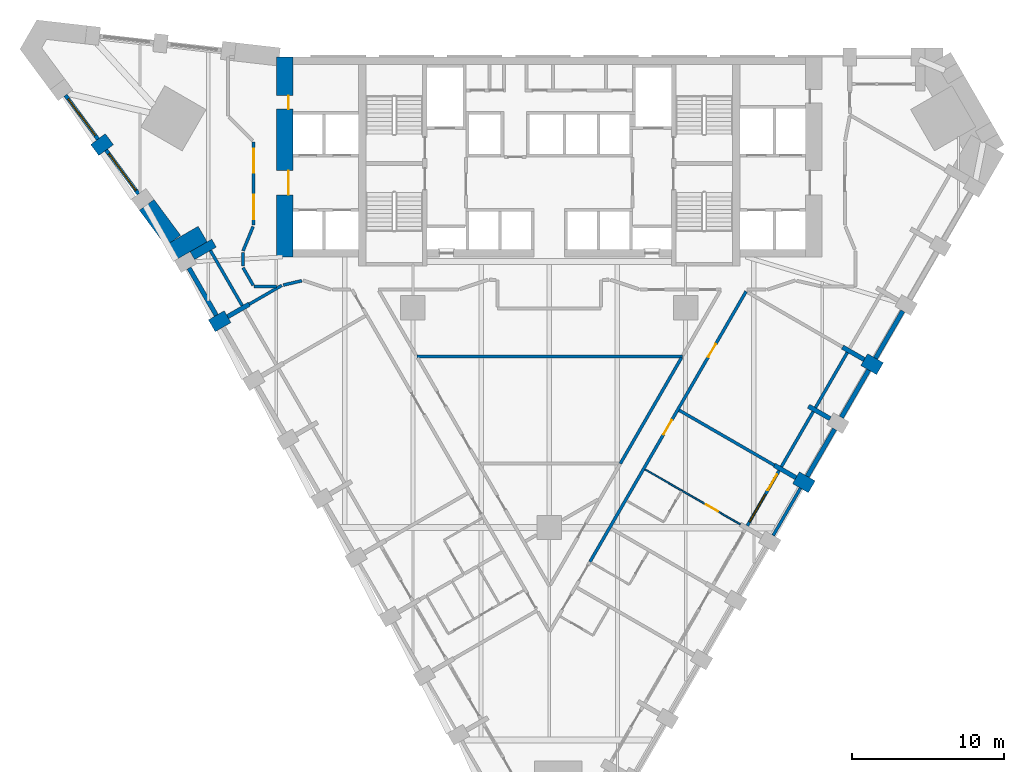
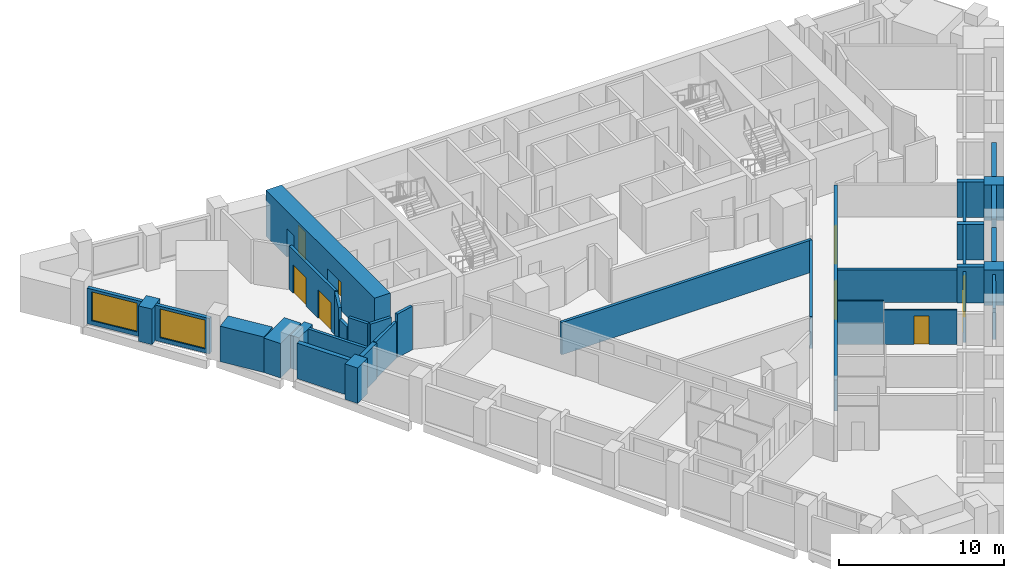
# One storey, part 5 of 10: 36 walls, 8 doors, 3 windows, 11 openings.
"""IFC4 building model written with IfcOpenShell, lengths in metres."""

from ifc_helpers import new_model, si_unit, direction, frame, frame_2d, origin, place, context, subcontext, project, spatial, polyline, rectangle, outline, extrude, material, layer, layer_set, type_object, element, fill, save


model = new_model("IFC4")

# Units and contexts
model_context = context("Model", 3, precision=1e-05, world=origin(), true_north=direction((0.0, 1.0)))
body_context = subcontext(model_context, "Body", "Model", "MODEL_VIEW")
ifc_project = project(units=[si_unit("LENGTHUNIT", "METRE"), si_unit("AREAUNIT", "SQUARE_METRE"), si_unit("VOLUMEUNIT", "CUBIC_METRE"), si_unit("PLANEANGLEUNIT", "RADIAN"), si_unit("MASSUNIT", "GRAM", prefix="KILO")], contexts=[model_context])

# Site, building, storey
site_placement = place(None, origin())
site = spatial("IfcSite", under=ifc_project, at=site_placement, CompositionType="ELEMENT")
building_placement = place(site_placement, origin())
building = spatial("IfcBuilding", under=site, at=building_placement, Name="Calabash Gate Tower", CompositionType="ELEMENT")
storey_placement = place(building_placement, frame((0.0, 0.0, 69.800048828125)))
storey = spatial("IfcBuildingStorey", under=building, at=storey_placement, Name="L13", CompositionType="ELEMENT", Elevation=69.800048828125)

# Walls
ifc_material_1 = material(Name="Terracotta brick masonry, exposed face", Category="masonry")
ifc_layer_1 = layer(ifc_material_1, 2.5)
ifc_layer_set_1 = layer_set([ifc_layer_1], Name="Brick corner mass wall 2500")
wall_type_1 = type_object("IfcWallType", Name="Brick corner mass wall 2500", PredefinedType="SOLIDWALL", material=ifc_layer_set_1)
wall_1_placement = place(storey_placement, frame((-22.865234375, 7.365234375, 0.0), z_axis=(0.0, 0.0, 1.0), x_axis=(-0.866022959057, -0.500004234368, 0.0)))
element("IfcWall", 1, at=wall_1_placement, inside=storey, type_object=wall_type_1, Name="Brick corner pier S03 1", PredefinedType="SOLIDWALL", context=body_context, shape_type="SweptSolid", body=[
    extrude(rectangle(XDim=2.5, YDim=1.1845703125, at=frame_2d((1.25, 0.0))), origin(), (0.0, 0.0, 1.0), 2.5517578125),
])
ifc_material_2 = material(Name="Terracotta brick masonry, exposed face", Category="masonry")
ifc_layer_2 = layer(ifc_material_2, 1.199951171875)
ifc_layer_set_2 = layer_set([ifc_layer_2], Name="Brick end wall 1200")
wall_type_2 = type_object("IfcWallType", Name="Brick end wall 1200", PredefinedType="SOLIDWALL", material=ifc_layer_set_2)
wall_2_placement = place(storey_placement, frame((-21.2197265625, 1.91552734375, 0.0), z_axis=(0.0, 0.0, 1.0), x_axis=(-0.866006032174, -0.500033551112, 0.0)))
element("IfcWall", 2, at=wall_2_placement, inside=storey, type_object=wall_type_2, Name="Brick pier S03 SW0.1", PredefinedType="SOLIDWALL", context=body_context, shape_type="SweptSolid", body=[
    extrude(rectangle(XDim=1.2001953125, YDim=0.89990234375, at=frame_2d((0.60009765625, 0.0))), origin(), (0.0, 0.0, 1.0), 2.6298828125),
])
for number, where, z_axis, x_axis, name in (
    (3, (16.27880859375, -8.70947265625, 0.0), (0.0, 0.0, 1.0), (0.865955154139, -0.50012165622, 0.0), "Brick pier S03 SE2.5"),
    (4, (21.81787109375, -1.515380859375, 0.0), (0.0, 0.0, 1.0), (-0.865955154139, 0.50012165622, 0.0), "Brick pier S03 SE2.7"),
    (5, (-29.985107421875, 12.91015625, 0.0), (0.0, 0.0, 1.0), (0.803477891264, 0.595334593527, 0.0), "Brick pier S03 wedge7.1"),
):
    element("IfcWall", number, at=place(storey_placement, frame(where, z_axis=z_axis, x_axis=x_axis)), inside=storey, type_object=wall_type_2, Name=name, PredefinedType="SOLIDWALL", context=body_context, shape_type="SweptSolid", body=[
        extrude(rectangle(XDim=1.199951171875, YDim=0.89990234375, at=frame_2d((0.60009765625, 0.0))), origin(), (0.0, 0.0, 1.0), 2.6298828125),
    ])
wall_3_placement = place(storey_placement, origin())
element("IfcWall", 6, at=wall_3_placement, inside=storey, type_object=wall_type_2, Name="Brick end wall S03 3", PredefinedType="SOLIDWALL", context=body_context, shape_type="SweptSolid", body=[
    extrude(outline(polyline([(-24.32470703125, 7.285400390625), (-26.07421875, 9.64697265625), (-26.07421875, 9.64697265625), (-26.073974609375, 9.646484375), (-27.0380859375, 8.932373046875), (-25.30908203125, 6.5986328125), (-25.326416015625, 6.628173828125), (-24.806640625, 6.92822265625), (-24.32470703125, 7.285400390625)])), origin(), (0.0, 0.0, 1.0), 2.6298828125),
])
ifc_material_3 = material(Name="Terracotta brick masonry, exposed face", Category="masonry")
ifc_layer_3 = layer(ifc_material_3, 0.300048828125)
ifc_layer_set_3 = layer_set([ifc_layer_3], Name="Brick infill panel wall 300")
wall_type_3 = type_object("IfcWallType", Name="Brick infill panel wall 300", PredefinedType="SOLIDWALL", material=ifc_layer_set_3)
wall_4_placement = place(storey_placement, frame((-23.764404296875, 5.122802734375, 0.0), z_axis=(0.0, 0.0, 1.0), x_axis=(0.500012057535, -0.866018442252, 0.0)))
element("IfcWall", 7, at=wall_4_placement, inside=storey, type_object=wall_type_3, Name="Brick panel S03 SW0.1", PredefinedType="SOLIDWALL", context=body_context, shape_type="SweptSolid", body=[
    extrude(rectangle(XDim=3.60009765625, YDim=0.300048828125, at=frame_2d((1.800048828125, 0.0))), origin(), (0.0, 0.0, 1.0), 2.6298828125),
])
for number, where, z_axis, x_axis, name in (
    (8, (17.0234375, -8.619873046875, 0.0), (0.0, 0.0, 1.0), (0.499961193289, 0.866047807691, 0.0), "Brick panel S03 SE2.6"),
    (9, (19.2734375, -4.72265625, 0.0), (0.0, 0.0, 1.0), (0.499961193289, 0.866047807691, 0.0), "Brick panel S03 SE2.7"),
    (10, (21.5234375, -0.82568359375, 0.0), (0.0, 0.0, 1.0), (0.499961193289, 0.866047807691, 0.0), "Brick panel S03 SE2.8"),
):
    element("IfcWall", number, at=place(storey_placement, frame(where, z_axis=z_axis, x_axis=x_axis)), inside=storey, type_object=wall_type_3, Name=name, PredefinedType="SOLIDWALL", context=body_context, shape_type="SweptSolid", body=[
        extrude(rectangle(XDim=3.599853515625, YDim=0.300048828125, at=frame_2d((1.7998046875, 0.0))), origin(), (0.0, 0.0, 1.0), 2.6298828125),
    ])
ifc_material_4 = material(Name="Terracotta brick masonry, exposed face", Category="masonry")
ifc_layer_4 = layer(ifc_material_4, 0.300048828125)
ifc_layer_set_4 = layer_set([ifc_layer_4], Name="Brick loggia cheek wall 300")
wall_type_4 = type_object("IfcWallType", Name="Brick loggia cheek wall 300", PredefinedType="SOLIDWALL", material=ifc_layer_set_4)
wall_5_placement = place(storey_placement, frame((-23.54443359375, 5.94287109375, 0.0), z_axis=(0.0, 0.0, 1.0), x_axis=(0.866030301974, 0.499991515992, 0.0)))
element("IfcWall", 11, at=wall_5_placement, inside=storey, type_object=wall_type_4, Name="Loggia cheek S03 SW0.0", PredefinedType="SOLIDWALL", context=body_context, shape_type="SweptSolid", body=[
    extrude(rectangle(XDim=1.6494140625, YDim=0.60009765625, at=frame_2d((0.82470703125, 0.0))), origin(), (0.0, 0.0, 1.0), 2.449951171875),
])
for number, where, z_axis, x_axis, name in (
    (12, (-19.790771484375, 2.740478515625, 0.0), (0.0, 0.0, 1.0), (-0.866040211805, -0.499974350878, 0.0), "Loggia cheek S03 SW0.1"),
    (13, (16.27880859375, -8.70947265625, 0.0), (0.0, 0.0, 1.0), (-0.866040211805, 0.499974350878, 0.0), "Loggia cheek S03 SE2.5"),
):
    element("IfcWall", number, at=place(storey_placement, frame(where, z_axis=z_axis, x_axis=x_axis)), inside=storey, type_object=wall_type_4, Name=name, PredefinedType="SOLIDWALL", context=body_context, shape_type="SweptSolid", body=[
        extrude(rectangle(XDim=1.64990234375, YDim=0.300048828125, at=frame_2d((0.824951171875, 0.0))), origin(), (0.0, 0.0, 1.0), 2.64990234375),
    ])
wall_6_placement = place(storey_placement, frame((17.099853515625, -3.987548828125, 0.0), z_axis=(0.0, 0.0, 1.0), x_axis=(0.866030301974, -0.499991515992, 0.0)))
element("IfcWall", 14, at=wall_6_placement, inside=storey, type_object=wall_type_4, Name="Loggia cheek S03 SE2.6", PredefinedType="SOLIDWALL", context=body_context, shape_type="SweptSolid", body=[
    extrude(rectangle(XDim=1.6494140625, YDim=0.300048828125, at=frame_2d((0.82470703125, 0.0))), origin(), (0.0, 0.0, 1.0), 2.64990234375),
])
wall_7_placement = place(storey_placement, frame((19.349853515625, -0.09033203125, 0.0), z_axis=(0.0, 0.0, 1.0), x_axis=(0.866040211805, -0.499974350878, 0.0)))
element("IfcWall", 15, at=wall_7_placement, inside=storey, type_object=wall_type_4, Name="Loggia cheek S03 SE2.7", PredefinedType="SOLIDWALL", context=body_context, shape_type="SweptSolid", body=[
    extrude(rectangle(XDim=1.64990234375, YDim=0.300048828125, at=frame_2d((0.824951171875, 0.0))), origin(), (0.0, 0.0, 1.0), 2.64990234375),
])

# Wall, openings, doors
ifc_material_5 = material(Name="Concrete C80/95", Category="concrete")
ifc_layer_5 = layer(ifc_material_5, 1.10009765625)
ifc_layer_set_5 = layer_set([ifc_layer_5], Name="Core wall 1100 Concrete C80/95")
wall_type_5 = type_object("IfcWallType", Name="Core wall 1100 Concrete C80/95", PredefinedType="SHEAR", material=ifc_layer_set_5)
wall_8_placement = place(storey_placement, frame((-17.449951171875, 5.8525390625, 0.0), z_axis=(0.0, 0.0, 1.0), x_axis=(0.0, 1.0, 0.0)))
wall_8 = element("IfcWall", 16, at=wall_8_placement, inside=storey, type_object=wall_type_5, Name="Core wall Z1-ENDW L13", PredefinedType="SHEAR", context=body_context, shape_type="SweptSolid", body=[
    extrude(rectangle(XDim=13.199951171875, YDim=1.10009765625, at=frame_2d((6.60009765625, 0.0))), origin(), (0.0, 0.0, 1.0), 3.39990234375),
])
opening_1_placement = place(wall_8_placement, frame((4.10009765625, 0.0, 0.0)))
opening_1 = element("IfcOpeningElement", 17, at=opening_1_placement, cuts=wall_8, Name="Opening H3-003", PredefinedType="OPENING", context=body_context, shape_type="SweptSolid", body=[
    extrude(rectangle(XDim=1.60009765625, YDim=2.10009765625, at=frame_2d((0.800048828125, 1.050048828125))), frame((0.0, 0.56005859375, 0.0), z_axis=(0.0, -1.0, 0.0), x_axis=(1.0, 0.0, 0.0)), (0.0, 0.0, 1.0), 1.1201171875),
])
opening_2_placement = place(wall_8_placement, frame((9.75, 0.0, 0.0)))
opening_2 = element("IfcOpeningElement", 18, at=opening_2_placement, cuts=wall_8, Name="Opening H3-004", PredefinedType="OPENING", context=body_context, shape_type="SweptSolid", body=[
    extrude(rectangle(XDim=0.89990234375, YDim=2.10009765625, at=frame_2d((0.449951171875, 1.050048828125))), frame((0.0, 0.56005859375, 0.0), z_axis=(0.0, -1.0, 0.0), x_axis=(1.0, 0.0, 0.0)), (0.0, 0.0, 1.0), 1.1201171875),
])
ifc_material_6 = material(Name="Steel fire door set with fire-resisting glazing", Category="steel")
door_type_1 = type_object("IfcDoorType", Name="Double fire door D08 1600x2100 FD60", OperationType="DOUBLE_DOOR_SINGLE_SWING", PredefinedType="DOOR", material=ifc_material_6)
door_1_placement = place(opening_1_placement, origin())
door_1 = element("IfcDoor", 19, at=door_1_placement, inside=storey, type_object=door_type_1, Name="Low-rise Lift Lobby W door", OperationType="DOUBLE_DOOR_SINGLE_SWING", OverallHeight=2.10009765625, OverallWidth=1.60009765625, PredefinedType="DOOR", context=body_context, shape_type="SweptSolid", body=[
    extrude(rectangle(XDim=1.60009765625, YDim=2.10009765625, at=frame_2d((0.800048828125, 1.050048828125))), frame((0.0, -0.22509765625, 0.0), z_axis=(0.0, -1.0, 0.0), x_axis=(1.0, 0.0, 0.0)), (0.0, 0.0, 1.0), 0.050048828125),
])
fill(opening_1, door_1)
ifc_material_7 = material(Name="Steel fire door set with fire-resisting glazing", Category="steel")
door_type_2 = type_object("IfcDoorType", Name="Fire door D06 900x2100 FD60", OperationType="NOTDEFINED", PredefinedType="DOOR", material=ifc_material_7)
door_2_placement = place(opening_2_placement, origin())
door_2 = element("IfcDoor", 20, at=door_2_placement, inside=storey, type_object=door_type_2, Name="Hotel Pantry door", OperationType="SINGLE_SWING_RIGHT", OverallHeight=2.10009765625, OverallWidth=0.89990234375, PredefinedType="DOOR", context=body_context, shape_type="SweptSolid", body=[
    extrude(rectangle(XDim=0.89990234375, YDim=2.10009765625, at=frame_2d((0.449951171875, 1.050048828125))), frame((0.0, -0.22509765625, 0.0), z_axis=(0.0, -1.0, 0.0), x_axis=(1.0, 0.0, 0.0)), (0.0, 0.0, 1.0), 0.050048828125),
])
fill(opening_2, door_2)

# Wall, opening, door
ifc_material_8 = material(Name="Gypsum board on steel studs, mineral wool", Category="steel")
ifc_layer_6 = layer(ifc_material_8, 0.10009765625)
ifc_layer_set_6 = layer_set([ifc_layer_6], Name="Partition 100 gypsum board")
wall_type_6 = type_object("IfcWallType", Name="Partition 100 gypsum board", PredefinedType="PARTITIONING", material=ifc_layer_set_6)
wall_9_placement = place(storey_placement, frame((8.7451171875, -9.55859375, 0.0), z_axis=(0.0, 0.0, 1.0), x_axis=(0.866220293694, -0.499662288743, 0.0)))
wall_9 = element("IfcWall", 21, at=wall_9_placement, inside=storey, type_object=wall_type_6, Name="Partition", PredefinedType="PARTITIONING", context=body_context, shape_type="SweptSolid", body=[
    extrude(rectangle(XDim=4.44970703125, YDim=0.10009765625, at=frame_2d((2.224853515625, 0.0))), origin(), (0.0, 0.0, 1.0), 2.5517578125),
])
opening_3_placement = place(wall_9_placement, frame((1.849609375, 0.0, 0.0)))
opening_3 = element("IfcOpeningElement", 22, at=opening_3_placement, cuts=wall_9, Name="Opening 12-14-007", PredefinedType="OPENING", context=body_context, shape_type="SweptSolid", body=[
    extrude(rectangle(XDim=0.89990234375, YDim=2.10009765625, at=frame_2d((0.449951171875, 1.050048828125))), frame((0.0, 0.06005859375, 0.0), z_axis=(0.0, -1.0, 0.0), x_axis=(1.0, 0.0, 0.0)), (0.0, 0.0, 1.0), 0.1201171875),
])
ifc_material_9 = material(Name="Painted timber door", Category="wood")
door_type_3 = type_object("IfcDoorType", Name="GD7 Suite room door 900x2100", OperationType="NOTDEFINED", PredefinedType="DOOR", material=ifc_material_9)
door_3_placement = place(opening_3_placement, origin())
door_3 = element("IfcDoor", 23, at=door_3_placement, inside=storey, type_object=door_type_3, Name="Suite room door", OperationType="SINGLE_SWING_LEFT", OverallHeight=2.10009765625, OverallWidth=0.89990234375, PredefinedType="DOOR", context=body_context, shape_type="SweptSolid", body=[
    extrude(rectangle(XDim=0.89990234375, YDim=2.10009765625, at=frame_2d((0.449951171875, 1.050048828125))), frame((0.0, 0.02490234375, 0.0), z_axis=(0.0, -1.0, 0.0), x_axis=(1.0, 0.0, 0.0)), (0.0, 0.0, 1.0), 0.050048828125),
])
fill(opening_3, door_3)

# Walls
wall_10_placement = place(storey_placement, frame((6.3203125, -8.158447265625, 0.0), z_axis=(0.0, 0.0, 1.0), x_axis=(0.865995230276, -0.500052258409, 0.0)))
element("IfcWall", 24, at=wall_10_placement, inside=storey, type_object=wall_type_6, Name="Partition", PredefinedType="PARTITIONING", context=body_context, shape_type="SweptSolid", body=[
    extrude(rectangle(XDim=2.798095703125, YDim=0.10009765625, at=frame_2d((1.39892578125, 0.0))), origin(), (0.0, 0.0, 1.0), 3.22998046875),
])
ifc_material_10 = material(Name="Gypsum board on steel studs, mineral wool", Category="steel")
ifc_layer_7 = layer(ifc_material_10, 0.199951171875)
ifc_layer_set_7 = layer_set([ifc_layer_7], Name="Partition 200 gypsum board EI 60")
wall_type_7 = type_object("IfcWallType", Name="Partition 200 gypsum board EI 60", PredefinedType="PARTITIONING", material=ifc_layer_set_7)
wall_11_placement = place(storey_placement, frame((4.6875, -7.781982421875, 0.0), z_axis=(0.0, 0.0, 1.0), x_axis=(0.499996438971, 0.866027459735, 0.0)))
element("IfcWall", 25, at=wall_11_placement, inside=storey, type_object=wall_type_7, Name="Partition", PredefinedType="PARTITIONING", context=body_context, shape_type="SweptSolid", body=[
    extrude(rectangle(XDim=8.0732421875, YDim=0.199951171875, at=frame_2d((4.03662109375, 0.0))), origin(), (0.0, 0.0, 1.0), 2.384033203125),
])
wall_12_placement = place(storey_placement, frame((8.572265625, -4.258056640625, 0.0), z_axis=(0.0, 0.0, 1.0), x_axis=(0.865900080757, -0.500217003055, 0.0)))
element("IfcWall", 26, at=wall_12_placement, inside=storey, type_object=wall_type_7, Name="Partition", PredefinedType="PARTITIONING", context=body_context, shape_type="SweptSolid", body=[
    extrude(rectangle(XDim=7.249755859375, YDim=0.199951171875, at=frame_2d((3.625, 0.0))), origin(), (0.0, 0.0, 1.0), 2.384033203125),
])
wall_13_placement = place(storey_placement, frame((-8.73681640625, -0.70556640625, 0.0), z_axis=(0.0, 0.0, 1.0), x_axis=(1.0, 0.0, 0.0)))
element("IfcWall", 27, at=wall_13_placement, inside=storey, type_object=wall_type_7, Name="Partition", PredefinedType="PARTITIONING", context=body_context, shape_type="SweptSolid", body=[
    extrude(rectangle(XDim=17.51220703125, YDim=0.199951171875, at=frame_2d((8.756103515625, 0.0))), origin(), (0.0, 0.0, 1.0), 2.384033203125),
])

# Wall, openings, doors
wall_14_placement = place(storey_placement, frame((2.686279296875, -14.256591796875, 0.0), z_axis=(0.0, 0.0, 1.0), x_axis=(0.49998850195, 0.866032042085, 0.0)))
wall_14 = element("IfcWall", 28, at=wall_14_placement, inside=storey, type_object=wall_type_7, Name="Partition", PredefinedType="PARTITIONING", context=body_context, shape_type="SweptSolid", body=[
    extrude(rectangle(XDim=20.60009765625, YDim=0.199951171875, at=frame_2d((10.300048828125, 0.0))), origin(), (0.0, 0.0, 1.0), 2.302490234375),
])
opening_4_placement = place(wall_14_placement, frame((9.7001953125, 0.0, 0.0)))
opening_4 = element("IfcOpeningElement", 29, at=opening_4_placement, cuts=wall_14, Name="Opening 12-14-006", PredefinedType="OPENING", context=body_context, shape_type="SweptSolid", body=[
    extrude(rectangle(XDim=1.10009765625, YDim=2.10009765625, at=frame_2d((0.550048828125, 1.050048828125))), frame((0.0, 0.10986328125, 0.0), z_axis=(0.0, -1.0, 0.0), x_axis=(1.0, 0.0, 0.0)), (0.0, 0.0, 1.0), 0.219970703125),
])
opening_5_placement = place(wall_14_placement, frame((15.60009765625, 0.0, 0.0)))
opening_5 = element("IfcOpeningElement", 30, at=opening_5_placement, cuts=wall_14, Name="Opening 12-14-009", PredefinedType="OPENING", context=body_context, shape_type="SweptSolid", body=[
    extrude(rectangle(XDim=1.0, YDim=2.10009765625, at=frame_2d((0.5, 1.050048828125))), frame((0.0, 0.10986328125, 0.0), z_axis=(0.0, -1.0, 0.0), x_axis=(1.0, 0.0, 0.0)), (0.0, 0.0, 1.0), 0.219970703125),
])
ifc_material_11 = material(Name="Steel fire door set with fire-resisting glazing", Category="steel")
door_type_4 = type_object("IfcDoorType", Name="GD3 Suite entrance door 1100x2100", OperationType="NOTDEFINED", PredefinedType="DOOR", material=ifc_material_11)
door_4_placement = place(opening_4_placement, origin())
door_4 = element("IfcDoor", 31, at=door_4_placement, inside=storey, type_object=door_type_4, Name="Suite entrance door", OperationType="SINGLE_SWING_LEFT", OverallHeight=2.10009765625, OverallWidth=1.10009765625, PredefinedType="DOOR", context=body_context, shape_type="SweptSolid", body=[
    extrude(rectangle(XDim=1.10009765625, YDim=2.10009765625, at=frame_2d((0.550048828125, 1.050048828125))), frame((0.0, 0.02490234375, 0.0), z_axis=(0.0, -1.0, 0.0), x_axis=(1.0, 0.0, 0.0)), (0.0, 0.0, 1.0), 0.050048828125),
])
fill(opening_4, door_4)
ifc_material_12 = material(Name="Steel fire door set with fire-resisting glazing", Category="steel")
door_type_5 = type_object("IfcDoorType", Name="LD2 Meeting room door 1000x2100", OperationType="NOTDEFINED", PredefinedType="DOOR", material=ifc_material_12)
door_5_placement = place(opening_5_placement, origin())
door_5 = element("IfcDoor", 32, at=door_5_placement, inside=storey, type_object=door_type_5, Name="Meeting room door", OperationType="SINGLE_SWING_LEFT", OverallHeight=2.10009765625, OverallWidth=1.0, PredefinedType="DOOR", context=body_context, shape_type="SweptSolid", body=[
    extrude(rectangle(XDim=1.0, YDim=2.10009765625, at=frame_2d((0.5, 1.050048828125))), frame((0.0, 0.02490234375, 0.0), z_axis=(0.0, -1.0, 0.0), x_axis=(1.0, 0.0, 0.0)), (0.0, 0.0, 1.0), 0.050048828125),
])
fill(opening_5, door_5)

# Walls
wall_15_placement = place(storey_placement, frame((-19.47900390625, 3.899658203125, 0.0), z_axis=(0.0, 0.0, 1.0), x_axis=(0.999999986376, -0.000165070978, 0.0)))
element("IfcWall", 33, at=wall_15_placement, inside=storey, type_object=wall_type_7, Name="Partition", PredefinedType="PARTITIONING", context=body_context, shape_type="SweptSolid", body=[
    extrude(rectangle(XDim=1.47900390625, YDim=0.199951171875, at=frame_2d((0.739501953125, 0.0))), origin(), (0.0, 0.0, 1.0), 3.22998046875),
])
wall_16_placement = place(storey_placement, frame((-19.791015625, 2.740478515625, 0.0), z_axis=(0.0, 0.0, 1.0), x_axis=(0.86605932655, 0.499941239442, 0.0)))
element("IfcWall", 34, at=wall_16_placement, inside=storey, type_object=wall_type_7, Name="Partition", PredefinedType="PARTITIONING", context=body_context, shape_type="SweptSolid", body=[
    extrude(rectangle(XDim=2.479248046875, YDim=0.199951171875, at=frame_2d((1.23974609375, 0.0))), origin(), (0.0, 0.0, 1.0), 2.701904296875),
])
wall_17_placement = place(storey_placement, frame((-17.5458984375, 4.0029296875, 0.0), z_axis=(0.0, 0.0, 1.0), x_axis=(0.974055012808, 0.226311360791, 0.0)))
element("IfcWall", 35, at=wall_17_placement, inside=storey, type_object=wall_type_7, Name="Partition", PredefinedType="PARTITIONING", context=body_context, shape_type="SweptSolid", body=[
    extrude(rectangle(XDim=1.25244140625, YDim=0.199951171875, at=frame_2d((0.626220703125, 0.0))), origin(), (0.0, 0.0, 1.0), 3.22998046875),
])
wall_18_placement = place(storey_placement, frame((-20.200439453125, 5.14892578125, 0.0), z_axis=(0.0, 0.0, 1.0), x_axis=(0.500011000363, -0.866019052629, 0.0)))
element("IfcWall", 36, at=wall_18_placement, inside=storey, type_object=wall_type_7, Name="Partition", PredefinedType="PARTITIONING", context=body_context, shape_type="SweptSolid", body=[
    extrude(rectangle(XDim=1.3427734375, YDim=0.199951171875, at=frame_2d((0.67138671875, 0.0))), origin(), (0.0, 0.0, 1.0), 3.22998046875),
])
wall_19_placement = place(storey_placement, frame((-20.200439453125, 6.152587890625, 0.0), z_axis=(0.0, 0.0, 1.0), x_axis=(0.0, -1.0, 0.0)))
element("IfcWall", 37, at=wall_19_placement, inside=storey, type_object=wall_type_7, Name="Partition", PredefinedType="PARTITIONING", context=body_context, shape_type="SweptSolid", body=[
    extrude(rectangle(XDim=0.903564453125, YDim=0.199951171875, at=frame_2d((0.45166015625, 0.0))), origin(), (0.0, 0.0, 1.0), 2.449951171875),
])
wall_20_placement = place(storey_placement, frame((-20.200439453125, 6.252685546875, 0.0), z_axis=(0.0, 0.0, 1.0), x_axis=(0.380742741509, 0.924681007044, 0.0)))
element("IfcWall", 38, at=wall_20_placement, inside=storey, type_object=wall_type_7, Name="Partition", PredefinedType="PARTITIONING", context=body_context, shape_type="SweptSolid", body=[
    extrude(rectangle(XDim=1.73828125, YDim=0.199951171875, at=frame_2d((0.869140625, 0.0))), origin(), (0.0, 0.0, 1.0), 3.22998046875),
])

# Wall, openings, doors
wall_21_placement = place(storey_placement, frame((-19.50048828125, 7.95263671875, 0.0), z_axis=(0.0, 0.0, 1.0), x_axis=(0.0, 1.0, 0.0)))
wall_21 = element("IfcWall", 39, at=wall_21_placement, inside=storey, type_object=wall_type_7, Name="Partition", PredefinedType="PARTITIONING", context=body_context, shape_type="SweptSolid", body=[
    extrude(rectangle(XDim=5.499755859375, YDim=0.199951171875, at=frame_2d((2.75, 0.0))), origin(), (0.0, 0.0, 1.0), 3.22998046875),
])
opening_6_placement = place(wall_21_placement, frame((0.39990234375, 0.0, 0.0)))
opening_6 = element("IfcOpeningElement", 40, at=opening_6_placement, cuts=wall_21, Name="Opening 12-14-019", PredefinedType="OPENING", context=body_context, shape_type="SweptSolid", body=[
    extrude(rectangle(XDim=1.60009765625, YDim=2.10009765625, at=frame_2d((0.800048828125, 1.050048828125))), frame((0.0, 0.10986328125, 0.0), z_axis=(0.0, -1.0, 0.0), x_axis=(1.0, 0.0, 0.0)), (0.0, 0.0, 1.0), 0.219970703125),
])
opening_7_placement = place(wall_21_placement, frame((3.449462890625, 0.0, 0.0)))
opening_7 = element("IfcOpeningElement", 41, at=opening_7_placement, cuts=wall_21, Name="Opening 12-14-020", PredefinedType="OPENING", context=body_context, shape_type="SweptSolid", body=[
    extrude(rectangle(XDim=1.60009765625, YDim=2.10009765625, at=frame_2d((0.800048828125, 1.050048828125))), frame((0.0, 0.10986328125, 0.0), z_axis=(0.0, -1.0, 0.0), x_axis=(1.0, 0.0, 0.0)), (0.0, 0.0, 1.0), 0.219970703125),
])
ifc_material_13 = material(Name="Steel fire door set with fire-resisting glazing", Category="steel")
door_type_6 = type_object("IfcDoorType", Name="LD1 Lounge double door 1600x2100", OperationType="NOTDEFINED", PredefinedType="DOOR", material=ifc_material_13)
door_6_placement = place(opening_6_placement, origin())
door_6 = element("IfcDoor", 42, at=door_6_placement, inside=storey, type_object=door_type_6, Name="Lounge double door", OperationType="DOUBLE_DOOR_SINGLE_SWING", OverallHeight=2.10009765625, OverallWidth=1.60009765625, PredefinedType="DOOR", context=body_context, shape_type="SweptSolid", body=[
    extrude(rectangle(XDim=1.60009765625, YDim=2.10009765625, at=frame_2d((0.800048828125, 1.050048828125))), frame((0.0, 0.02490234375, 0.0), z_axis=(0.0, -1.0, 0.0), x_axis=(1.0, 0.0, 0.0)), (0.0, 0.0, 1.0), 0.050048828125),
])
fill(opening_6, door_6)
door_7_placement = place(opening_7_placement, origin())
door_7 = element("IfcDoor", 43, at=door_7_placement, inside=storey, type_object=door_type_6, Name="Lounge double door", OperationType="DOUBLE_DOOR_SINGLE_SWING", OverallHeight=2.10009765625, OverallWidth=1.60009765625, PredefinedType="DOOR", context=body_context, shape_type="SweptSolid", body=[
    extrude(rectangle(XDim=1.60009765625, YDim=2.10009765625, at=frame_2d((0.800048828125, 1.050048828125))), frame((0.0, 0.02490234375, 0.0), z_axis=(0.0, -1.0, 0.0), x_axis=(1.0, 0.0, 0.0)), (0.0, 0.0, 1.0), 0.050048828125),
])
fill(opening_7, door_7)

# Wall, opening, window
ifc_material_14 = material(Name="Aluminium framed window wall with insulated spandrel", Category="aluminium")
ifc_layer_8 = layer(ifc_material_14, 0.25)
ifc_layer_set_8 = layer_set([ifc_layer_8], Name="Prow window wall 250")
wall_type_8 = type_object("IfcWallType", Name="Prow window wall 250", PredefinedType="ELEMENTEDWALL", material=ifc_layer_set_8)
wall_22_placement = place(storey_placement, frame((-31.913818359375, 16.521484375, 0.0), z_axis=(0.0, 0.0, 1.0), x_axis=(0.595258366654, -0.803534365742, 0.0)))
wall_22 = element("IfcWall", 44, at=wall_22_placement, inside=storey, type_object=wall_type_8, Name="Prow window wall S03 wedge7.1", PredefinedType="ELEMENTEDWALL", context=body_context, shape_type="SweptSolid", body=[
    extrude(rectangle(XDim=3.599853515625, YDim=0.25, at=frame_2d((1.7998046875, 0.0))), origin(), (0.0, 0.0, 1.0), 2.6298828125),
])
opening_8_placement = place(wall_22_placement, frame((0.300048828125, 0.0, 0.300048828125)))
opening_8 = element("IfcOpeningElement", 45, at=opening_8_placement, cuts=wall_22, Name="Opening WP1L-2130", PredefinedType="OPENING", context=body_context, shape_type="SweptSolid", body=[
    extrude(rectangle(XDim=3.0, YDim=2.1298828125, at=frame_2d((1.5, 1.06494140625))), frame((0.0, 0.135009765625, 0.0), z_axis=(0.0, -1.0, 0.0), x_axis=(1.0, 0.0, 0.0)), (0.0, 0.0, 1.0), 0.27001953125),
])
ifc_material_15 = material(Name="Anodised aluminium frame, bronze finish, impact-rated laminated clear glazing", Category="aluminium")
window_type_1 = type_object("IfcWindowType", Name="Window WP1L 3000x2130", PartitioningType="DOUBLE_PANEL_VERTICAL", PredefinedType="WINDOW", material=ifc_material_15)
window_1_placement = place(opening_8_placement, origin())
window_1 = element("IfcWindow", 46, at=window_1_placement, inside=storey, type_object=window_type_1, Name="Prow window WP1L S03 wedge7.1", OverallHeight=2.1298828125, OverallWidth=3.0, PartitioningType="SINGLE_PANEL", PredefinedType="WINDOW", context=body_context, shape_type="SweptSolid", body=[
    extrude(rectangle(XDim=3.0, YDim=2.1298828125, at=frame_2d((1.5, 1.06494140625))), frame((0.0, 0.030029296875, 0.0), z_axis=(0.0, -1.0, 0.0), x_axis=(1.0, 0.0, 0.0)), (0.0, 0.0, 1.0), 0.06005859375),
])
fill(opening_8, window_1)

wall_23_placement = place(storey_placement, frame((-29.235107421875, 12.905517578125, 0.0), z_axis=(0.0, 0.0, 1.0), x_axis=(0.595302153335, -0.803501926715, 0.0)))
wall_23 = element("IfcWall", 47, at=wall_23_placement, inside=storey, type_object=wall_type_8, Name="Prow window wall S03 wedge7.2", PredefinedType="ELEMENTEDWALL", context=body_context, shape_type="SweptSolid", body=[
    extrude(rectangle(XDim=3.599853515625, YDim=0.25, at=frame_2d((1.7998046875, 0.0))), origin(), (0.0, 0.0, 1.0), 2.6298828125),
])
opening_9_placement = place(wall_23_placement, frame((0.300048828125, 0.0, 0.300048828125)))
opening_9 = element("IfcOpeningElement", 48, at=opening_9_placement, cuts=wall_23, Name="Opening WP1L-2130", PredefinedType="OPENING", context=body_context, shape_type="SweptSolid", body=[
    extrude(rectangle(XDim=3.0, YDim=2.1298828125, at=frame_2d((1.5, 1.06494140625))), frame((0.0, 0.135009765625, 0.0), z_axis=(0.0, -1.0, 0.0), x_axis=(1.0, 0.0, 0.0)), (0.0, 0.0, 1.0), 0.27001953125),
])
window_2_placement = place(opening_9_placement, origin())
window_2 = element("IfcWindow", 49, at=window_2_placement, inside=storey, type_object=window_type_1, Name="Prow window WP1L S03 wedge7.2", OverallHeight=2.1298828125, OverallWidth=3.0, PartitioningType="SINGLE_PANEL", PredefinedType="WINDOW", context=body_context, shape_type="SweptSolid", body=[
    extrude(rectangle(XDim=3.0, YDim=2.1298828125, at=frame_2d((1.5, 1.06494140625))), frame((0.0, 0.030029296875, 0.0), z_axis=(0.0, -1.0, 0.0), x_axis=(1.0, 0.0, 0.0)), (0.0, 0.0, 1.0), 0.06005859375),
])
fill(opening_9, window_2)

# Walls
ifc_material_16 = material(Name="Terracotta brick masonry, perforated", Category="masonry")
ifc_layer_9 = layer(ifc_material_16, 0.199951171875)
ifc_layer_set_9 = layer_set([ifc_layer_9], Name="Terracotta jaali screen A")
wall_type_9 = type_object("IfcWallType", Name="Terracotta jaali screen A", PredefinedType="SOLIDWALL", material=ifc_layer_set_9)
wall_24_placement = place(storey_placement, frame((14.7734375, -12.51708984375, 0.0), z_axis=(0.0, 0.0, 1.0), x_axis=(0.499931829785, 0.866064758299, 0.0)))
element("IfcWall", 50, at=wall_24_placement, inside=storey, type_object=wall_type_9, Name="SCREEN A S03 SE2.5", PredefinedType="SOLIDWALL", context=body_context, shape_type="SweptSolid", body=[
    extrude(rectangle(XDim=3.60009765625, YDim=0.199951171875, at=frame_2d((1.800048828125, 0.0))), origin(), (0.0, 0.0, 1.0), 2.302490234375),
])
ifc_material_17 = material(Name="Aluminium framed window wall with insulated spandrel", Category="aluminium")
ifc_layer_10 = layer(ifc_material_17, 0.199951171875)
ifc_layer_set_10 = layer_set([ifc_layer_10], Name="Window wall 200")
wall_type_10 = type_object("IfcWallType", Name="Window wall 200", PredefinedType="ELEMENTEDWALL", material=ifc_layer_set_10)
wall_25_placement = place(storey_placement, frame((-22.35546875, 6.28271484375, 0.0), z_axis=(0.0, 0.0, 1.0), x_axis=(0.49998411664, -0.866034573852, 0.0)))
element("IfcWall", 51, at=wall_25_placement, inside=storey, type_object=wall_type_10, Name="Window wall S03 SW0.1", PredefinedType="ELEMENTEDWALL", context=body_context, shape_type="SweptSolid", body=[
    extrude(rectangle(XDim=4.199951171875, YDim=0.199951171875, at=frame_2d((2.10009765625, 0.0))), origin(), (0.0, 0.0, 1.0), 2.449951171875),
])

# Wall, openings, door, window
wall_26_placement = place(storey_placement, frame((13.064453125, -11.876708984375, 0.0), z_axis=(0.0, 0.0, 1.0), x_axis=(0.500027713859, 0.866009402589, 0.0)))
wall_26 = element("IfcWall", 52, at=wall_26_placement, inside=storey, type_object=wall_type_10, Name="Window wall S03 SE2.5", PredefinedType="ELEMENTEDWALL", context=body_context, shape_type="SweptSolid", body=[
    extrude(rectangle(XDim=4.199951171875, YDim=0.199951171875, at=frame_2d((2.10009765625, 0.0))), origin(), (0.0, 0.0, 1.0), 2.302490234375),
])
opening_10_placement = place(wall_26_placement, frame((0.300048828125, 0.0, 0.60009765625)))
opening_10 = element("IfcOpeningElement", 53, at=opening_10_placement, cuts=wall_26, Name="Opening HW1L-1600", PredefinedType="OPENING", context=body_context, shape_type="SweptSolid", body=[
    extrude(rectangle(XDim=2.10009765625, YDim=1.60009765625, at=frame_2d((1.050048828125, 0.800048828125))), frame((0.0, 0.10986328125, 0.0), z_axis=(0.0, -1.0, 0.0), x_axis=(1.0, 0.0, 0.0)), (0.0, 0.0, 1.0), 0.219970703125),
])
opening_11_placement = place(wall_26_placement, frame((2.699951171875, 0.0, 0.0)))
opening_11 = element("IfcOpeningElement", 54, at=opening_11_placement, cuts=wall_26, Name="Opening H3-024", PredefinedType="OPENING", context=body_context, shape_type="SweptSolid", body=[
    extrude(rectangle(XDim=1.199951171875, YDim=2.199951171875, at=frame_2d((0.60009765625, 1.10009765625))), frame((0.0, 0.10986328125, 0.0), z_axis=(0.0, -1.0, 0.0), x_axis=(1.0, 0.0, 0.0)), (0.0, 0.0, 1.0), 0.219970703125),
])
ifc_material_18 = material(Name="Anodised aluminium frame, bronze finish, impact-rated laminated clear glazing", Category="aluminium")
door_type_7 = type_object("IfcDoorType", Name="Loggia door DH1L-2200 1200x2200", OperationType="SLIDING_TO_LEFT", PredefinedType="DOOR", material=ifc_material_18)
door_8_placement = place(opening_11_placement, origin())
door_8 = element("IfcDoor", 55, at=door_8_placement, inside=storey, type_object=door_type_7, Name="Loggia door S03 SE2.5", OperationType="SINGLE_SWING_LEFT", OverallHeight=2.199951171875, OverallWidth=1.199951171875, PredefinedType="DOOR", context=body_context, shape_type="SweptSolid", body=[
    extrude(rectangle(XDim=1.199951171875, YDim=2.199951171875, at=frame_2d((0.60009765625, 1.10009765625))), frame((0.0, 0.02490234375, 0.0), z_axis=(0.0, -1.0, 0.0), x_axis=(1.0, 0.0, 0.0)), (0.0, 0.0, 1.0), 0.050048828125),
])
fill(opening_11, door_8)
ifc_material_19 = material(Name="Anodised aluminium frame, bronze finish, impact-rated laminated clear glazing", Category="aluminium")
window_type_2 = type_object("IfcWindowType", Name="Window HW1L 2100x1600", PartitioningType="DOUBLE_PANEL_VERTICAL", PredefinedType="WINDOW", material=ifc_material_19)
window_3_placement = place(opening_10_placement, origin())
window_3 = element("IfcWindow", 56, at=window_3_placement, inside=storey, type_object=window_type_2, Name="Window HW1 S03 SE2.5", OverallHeight=1.60009765625, OverallWidth=2.10009765625, PartitioningType="SINGLE_PANEL", PredefinedType="WINDOW", context=body_context, shape_type="SweptSolid", body=[
    extrude(rectangle(XDim=2.10009765625, YDim=1.60009765625, at=frame_2d((1.050048828125, 0.800048828125))), frame((0.0, 0.030029296875, 0.0), z_axis=(0.0, -1.0, 0.0), x_axis=(1.0, 0.0, 0.0)), (0.0, 0.0, 1.0), 0.06005859375),
])
fill(opening_10, window_3)

# Walls
wall_27_placement = place(storey_placement, frame((15.314453125, -7.979736328125, 0.0), z_axis=(0.0, 0.0, 1.0), x_axis=(0.500002543286, 0.866023935413, 0.0)))
element("IfcWall", 57, at=wall_27_placement, inside=storey, type_object=wall_type_10, Name="Window wall S03 SE2.6", PredefinedType="ELEMENTEDWALL", context=body_context, shape_type="SweptSolid", body=[
    extrude(rectangle(XDim=4.2001953125, YDim=0.199951171875, at=frame_2d((2.10009765625, 0.0))), origin(), (0.0, 0.0, 1.0), 2.64990234375),
])
wall_28_placement = place(storey_placement, frame((17.564453125, -4.08251953125, 0.0), z_axis=(0.0, 0.0, 1.0), x_axis=(0.500027713859, 0.866009402589, 0.0)))
element("IfcWall", 58, at=wall_28_placement, inside=storey, type_object=wall_type_10, Name="Window wall S03 SE2.7", PredefinedType="ELEMENTEDWALL", context=body_context, shape_type="SweptSolid", body=[
    extrude(rectangle(XDim=4.199951171875, YDim=0.199951171875, at=frame_2d((2.10009765625, 0.0))), origin(), (0.0, 0.0, 1.0), 2.64990234375),
])

save(model, "model.ifc")
